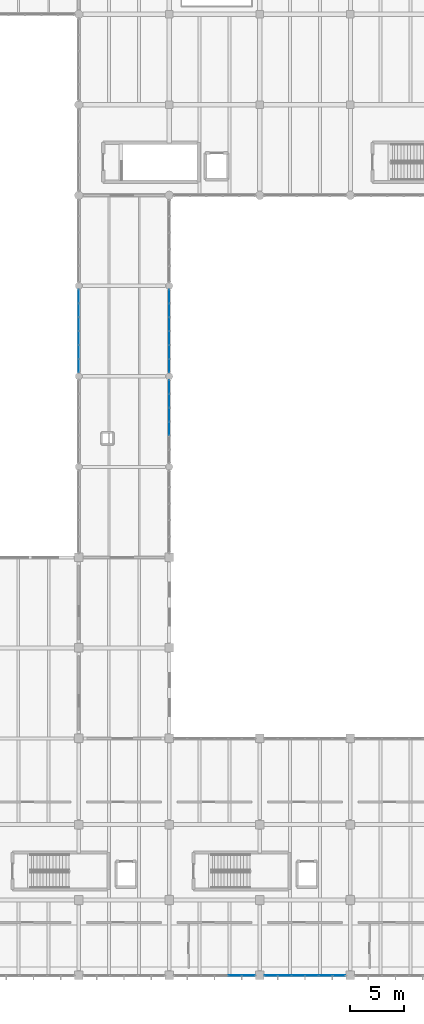
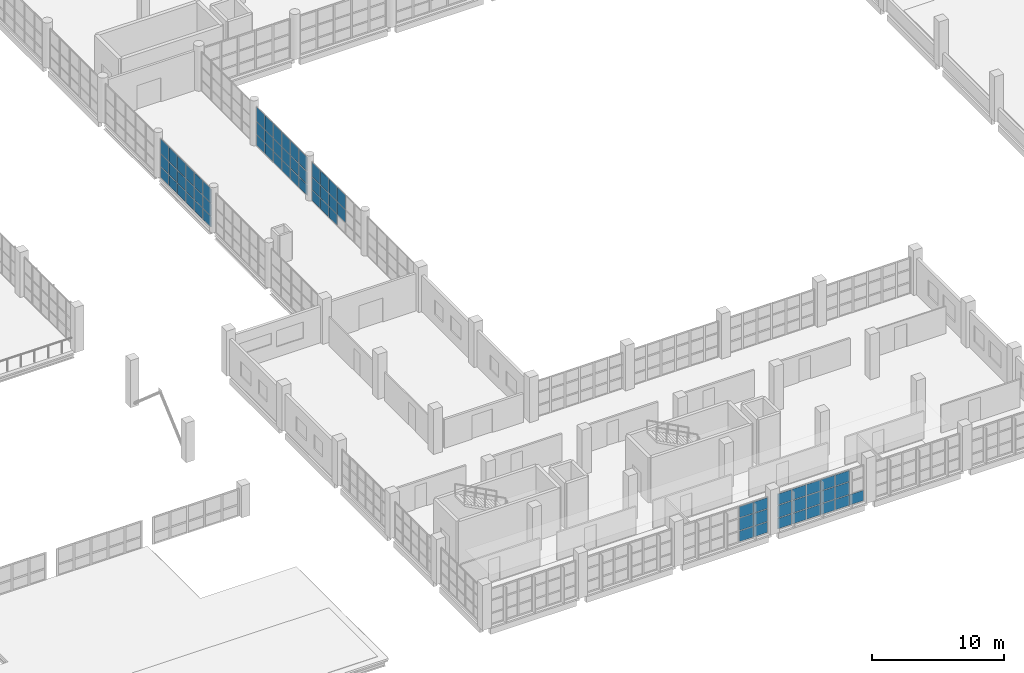
# One storey, part 124 of 177: 69 plates, 5 elements without a shape of their own.
"""IFC4 building model written with IfcOpenShell, lengths in metres."""

from ifc_helpers import new_model, si_unit, direction, frame, origin, origin_2d, place, context, subcontext, project, spatial, rectangle, extrude, material, layer, layer_set, type_object, element, aggregate, save


model = new_model("IFC4")

# Units and contexts
model_context = context("Model", 3, precision=1e-05, world=origin(), true_north=direction((0.0, 1.0)))
body_context = subcontext(model_context, "Body", "Model", "MODEL_VIEW")
ifc_project = project(units=[si_unit("LENGTHUNIT", "METRE"), si_unit("AREAUNIT", "SQUARE_METRE"), si_unit("VOLUMEUNIT", "CUBIC_METRE"), si_unit("PLANEANGLEUNIT", "RADIAN"), si_unit("MASSUNIT", "GRAM", prefix="KILO"), si_unit("THERMODYNAMICTEMPERATUREUNIT", "KELVIN"), si_unit("POWERUNIT", "WATT")], contexts=[model_context])

# Site, building, storey
site_placement = place(None, origin())
site = spatial("IfcSite", under=ifc_project, at=site_placement, CompositionType="ELEMENT")
building_placement = place(site_placement, origin())
building = spatial("IfcBuilding", under=site, at=building_placement, Name="Mavoryth Pier Ferry Terminal", CompositionType="ELEMENT")
storey_placement = place(building_placement, frame((0.0, 0.0, 5.43994140625)))
storey = spatial("IfcBuildingStorey", under=building, at=storey_placement, Name="L01", CompositionType="ELEMENT", Elevation=5.43994140625)

# Curtain wall, plates
ifc_material_1 = material(Name="Anodised Aluminium and Solar-Control Low-E Glass", Category="aluminium")
ifc_layer_1 = layer(ifc_material_1, 0.1201171875, Name="Anodised Aluminium and Solar-Control Low-E Glass", Category="aluminium")
ifc_layer_set_1 = layer_set([ifc_layer_1], Name="Anodised Aluminium and Solar-Control Low-E Glass - CW-BridgeLink-Mod1400")
curtain_wall_type_1 = type_object("IfcCurtainWallType", Name="CW-BridgeLink-Mod1400", PredefinedType="USERDEFINED", material=ifc_layer_set_1)
curtain_wall_1_placement = place(storey_placement, origin())
curtain_wall_1 = element("IfcCurtainWall", 1, at=curtain_wall_1_placement, inside=storey, type_object=curtain_wall_type_1, Name="Curtain Wall CW-0111-105", ObjectType="UNITISED CURTAIN WALL", PredefinedType="USERDEFINED")
ifc_material_2 = material(Name="Solar-Control Low-E Laminated Double Glazing", Category="glass")
ifc_layer_2 = layer(ifc_material_2, 0.02392578125, Name="Solar-Control Low-E Laminated Double Glazing", Category="glass")
ifc_layer_set_2 = layer_set([ifc_layer_2], Name="Solar-Control Low-E Laminated Double Glazing - Panel-LowE-DGU-24")
plate_type_1 = type_object("IfcPlateType", Name="Panel-LowE-DGU-24", PredefinedType="CURTAIN_PANEL", material=ifc_layer_set_2)
plate_1_placement = place(storey_placement, frame((58.800048828125, 50.754150390625, 1.07763671875), z_axis=(0.0, 0.0, 1.0), x_axis=(0.0, 1.0, 0.0)))
plate_1 = element("IfcPlate", 2, at=plate_1_placement, type_object=plate_type_1, Name="CW08 panel 3.2", PredefinedType="CURTAIN_PANEL", context=body_context, shape_type="SweptSolid", body=[
    extrude(rectangle(XDim=1.236572265625, YDim=0.02392578125, at=origin_2d()), origin(), (0.0, 0.0, 1.0), 1.14501953125),
])
plate_2_placement = place(storey_placement, frame((58.800048828125, 50.754150390625, 2.27734375), z_axis=(0.0, 0.0, 1.0), x_axis=(0.0, 1.0, 0.0)))
plate_2 = element("IfcPlate", 3, at=plate_2_placement, type_object=plate_type_1, Name="CW08 panel 3.3", PredefinedType="CURTAIN_PANEL", context=body_context, shape_type="SweptSolid", body=[
    extrude(rectangle(XDim=1.236572265625, YDim=0.02392578125, at=origin_2d()), origin(), (0.0, 0.0, 1.0), 1.322509765625),
])
plate_3_placement = place(storey_placement, frame((58.800048828125, 52.0458984375, 0.05517578125), z_axis=(0.0, 0.0, 1.0), x_axis=(0.0, 1.0, 0.0)))
plate_3 = element("IfcPlate", 4, at=plate_3_placement, type_object=plate_type_1, Name="CW08 panel 4.1", PredefinedType="CURTAIN_PANEL", context=body_context, shape_type="SweptSolid", body=[
    extrude(rectangle(XDim=1.236572265625, YDim=0.02392578125, at=origin_2d()), origin(), (0.0, 0.0, 1.0), 0.967529296875),
])
plate_4_placement = place(storey_placement, frame((58.800048828125, 52.0458984375, 1.07763671875), z_axis=(0.0, 0.0, 1.0), x_axis=(0.0, 1.0, 0.0)))
plate_4 = element("IfcPlate", 5, at=plate_4_placement, type_object=plate_type_1, Name="CW08 panel 4.2", PredefinedType="CURTAIN_PANEL", context=body_context, shape_type="SweptSolid", body=[
    extrude(rectangle(XDim=1.236572265625, YDim=0.02392578125, at=origin_2d()), origin(), (0.0, 0.0, 1.0), 1.14501953125),
])
plate_5_placement = place(storey_placement, frame((58.800048828125, 52.0458984375, 2.27734375), z_axis=(0.0, 0.0, 1.0), x_axis=(0.0, 1.0, 0.0)))
plate_5 = element("IfcPlate", 6, at=plate_5_placement, type_object=plate_type_1, Name="CW08 panel 4.3", PredefinedType="CURTAIN_PANEL", context=body_context, shape_type="SweptSolid", body=[
    extrude(rectangle(XDim=1.236572265625, YDim=0.02392578125, at=origin_2d()), origin(), (0.0, 0.0, 1.0), 1.322509765625),
])
plate_6_placement = place(storey_placement, frame((58.800048828125, 53.33740234375, 0.05517578125), z_axis=(0.0, 0.0, 1.0), x_axis=(0.0, 1.0, 0.0)))
plate_6 = element("IfcPlate", 7, at=plate_6_placement, type_object=plate_type_1, Name="CW08 panel 5.1", PredefinedType="CURTAIN_PANEL", context=body_context, shape_type="SweptSolid", body=[
    extrude(rectangle(XDim=1.236572265625, YDim=0.02392578125, at=origin_2d()), origin(), (0.0, 0.0, 1.0), 0.967529296875),
])
plate_7_placement = place(storey_placement, frame((58.800048828125, 53.33740234375, 1.07763671875), z_axis=(0.0, 0.0, 1.0), x_axis=(0.0, 1.0, 0.0)))
plate_7 = element("IfcPlate", 8, at=plate_7_placement, type_object=plate_type_1, Name="CW08 panel 5.2", PredefinedType="CURTAIN_PANEL", context=body_context, shape_type="SweptSolid", body=[
    extrude(rectangle(XDim=1.236572265625, YDim=0.02392578125, at=origin_2d()), origin(), (0.0, 0.0, 1.0), 1.14501953125),
])
plate_8_placement = place(storey_placement, frame((58.800048828125, 53.33740234375, 2.27734375), z_axis=(0.0, 0.0, 1.0), x_axis=(0.0, 1.0, 0.0)))
plate_8 = element("IfcPlate", 9, at=plate_8_placement, type_object=plate_type_1, Name="CW08 panel 5.3", PredefinedType="CURTAIN_PANEL", context=body_context, shape_type="SweptSolid", body=[
    extrude(rectangle(XDim=1.236572265625, YDim=0.02392578125, at=origin_2d()), origin(), (0.0, 0.0, 1.0), 1.322509765625),
])
plate_9_placement = place(storey_placement, frame((58.800048828125, 54.615478515625, 0.05517578125), z_axis=(0.0, 0.0, 1.0), x_axis=(0.0, 1.0, 0.0)))
plate_9 = element("IfcPlate", 10, at=plate_9_placement, type_object=plate_type_1, Name="CW08 panel 6.1", PredefinedType="CURTAIN_PANEL", context=body_context, shape_type="SweptSolid", body=[
    extrude(rectangle(XDim=1.209228515625, YDim=0.02392578125, at=origin_2d()), origin(), (0.0, 0.0, 1.0), 0.967529296875),
])
plate_10_placement = place(storey_placement, frame((58.800048828125, 54.615478515625, 1.07763671875), z_axis=(0.0, 0.0, 1.0), x_axis=(0.0, 1.0, 0.0)))
plate_10 = element("IfcPlate", 11, at=plate_10_placement, type_object=plate_type_1, Name="CW08 panel 6.2", PredefinedType="CURTAIN_PANEL", context=body_context, shape_type="SweptSolid", body=[
    extrude(rectangle(XDim=1.209228515625, YDim=0.02392578125, at=origin_2d()), origin(), (0.0, 0.0, 1.0), 1.14501953125),
])
plate_11_placement = place(storey_placement, frame((58.800048828125, 54.615478515625, 2.27734375), z_axis=(0.0, 0.0, 1.0), x_axis=(0.0, 1.0, 0.0)))
plate_11 = element("IfcPlate", 12, at=plate_11_placement, type_object=plate_type_1, Name="CW08 panel 6.3", PredefinedType="CURTAIN_PANEL", context=body_context, shape_type="SweptSolid", body=[
    extrude(rectangle(XDim=1.209228515625, YDim=0.02392578125, at=origin_2d()), origin(), (0.0, 0.0, 1.0), 1.322509765625),
])
aggregate(curtain_wall_1, [plate_1, plate_2, plate_3, plate_4, plate_5, plate_6, plate_7, plate_8, plate_9, plate_10, plate_11])

curtain_wall_2_placement = place(storey_placement, origin())
curtain_wall_2 = element("IfcCurtainWall", 13, at=curtain_wall_2_placement, inside=storey, type_object=curtain_wall_type_1, Name="Curtain Wall CW-0111-106", ObjectType="UNITISED CURTAIN WALL", PredefinedType="USERDEFINED")
plate_12_placement = place(storey_placement, frame((50.39990234375, 63.015380859375, 0.05517578125), z_axis=(0.0, 0.0, 1.0), x_axis=(0.0, -1.0, 0.0)))
plate_12 = element("IfcPlate", 14, at=plate_12_placement, type_object=plate_type_1, Name="CW08 panel 1.1", PredefinedType="CURTAIN_PANEL", context=body_context, shape_type="SweptSolid", body=[
    extrude(rectangle(XDim=1.209228515625, YDim=0.02392578125, at=origin_2d()), origin(), (0.0, 0.0, 1.0), 0.967529296875),
])
plate_13_placement = place(storey_placement, frame((50.39990234375, 63.015380859375, 1.07763671875), z_axis=(0.0, 0.0, 1.0), x_axis=(0.0, -1.0, 0.0)))
plate_13 = element("IfcPlate", 15, at=plate_13_placement, type_object=plate_type_1, Name="CW08 panel 1.2", PredefinedType="CURTAIN_PANEL", context=body_context, shape_type="SweptSolid", body=[
    extrude(rectangle(XDim=1.209228515625, YDim=0.02392578125, at=origin_2d()), origin(), (0.0, 0.0, 1.0), 1.14501953125),
])
plate_14_placement = place(storey_placement, frame((50.39990234375, 63.015380859375, 2.27734375), z_axis=(0.0, 0.0, 1.0), x_axis=(0.0, -1.0, 0.0)))
plate_14 = element("IfcPlate", 16, at=plate_14_placement, type_object=plate_type_1, Name="CW08 panel 1.3", PredefinedType="CURTAIN_PANEL", context=body_context, shape_type="SweptSolid", body=[
    extrude(rectangle(XDim=1.209228515625, YDim=0.02392578125, at=origin_2d()), origin(), (0.0, 0.0, 1.0), 1.322509765625),
])
plate_15_placement = place(storey_placement, frame((50.39990234375, 61.737548828125, 0.05517578125), z_axis=(0.0, 0.0, 1.0), x_axis=(0.0, -1.0, 0.0)))
plate_15 = element("IfcPlate", 17, at=plate_15_placement, type_object=plate_type_1, Name="CW08 panel 2.1", PredefinedType="CURTAIN_PANEL", context=body_context, shape_type="SweptSolid", body=[
    extrude(rectangle(XDim=1.236572265625, YDim=0.02392578125, at=origin_2d()), origin(), (0.0, 0.0, 1.0), 0.967529296875),
])
plate_16_placement = place(storey_placement, frame((50.39990234375, 61.737548828125, 1.07763671875), z_axis=(0.0, 0.0, 1.0), x_axis=(0.0, -1.0, 0.0)))
plate_16 = element("IfcPlate", 18, at=plate_16_placement, type_object=plate_type_1, Name="CW08 panel 2.2", PredefinedType="CURTAIN_PANEL", context=body_context, shape_type="SweptSolid", body=[
    extrude(rectangle(XDim=1.236572265625, YDim=0.02392578125, at=origin_2d()), origin(), (0.0, 0.0, 1.0), 1.14501953125),
])
plate_17_placement = place(storey_placement, frame((50.39990234375, 61.737548828125, 2.27734375), z_axis=(0.0, 0.0, 1.0), x_axis=(0.0, -1.0, 0.0)))
plate_17 = element("IfcPlate", 19, at=plate_17_placement, type_object=plate_type_1, Name="CW08 panel 2.3", PredefinedType="CURTAIN_PANEL", context=body_context, shape_type="SweptSolid", body=[
    extrude(rectangle(XDim=1.236572265625, YDim=0.02392578125, at=origin_2d()), origin(), (0.0, 0.0, 1.0), 1.322509765625),
])
plate_18_placement = place(storey_placement, frame((50.39990234375, 60.44580078125, 0.05517578125), z_axis=(0.0, 0.0, 1.0), x_axis=(0.0, -1.0, 0.0)))
plate_18 = element("IfcPlate", 20, at=plate_18_placement, type_object=plate_type_1, Name="CW08 panel 3.1", PredefinedType="CURTAIN_PANEL", context=body_context, shape_type="SweptSolid", body=[
    extrude(rectangle(XDim=1.236572265625, YDim=0.02392578125, at=origin_2d()), origin(), (0.0, 0.0, 1.0), 0.967529296875),
])
plate_19_placement = place(storey_placement, frame((50.39990234375, 60.44580078125, 1.07763671875), z_axis=(0.0, 0.0, 1.0), x_axis=(0.0, -1.0, 0.0)))
plate_19 = element("IfcPlate", 21, at=plate_19_placement, type_object=plate_type_1, Name="CW08 panel 3.2", PredefinedType="CURTAIN_PANEL", context=body_context, shape_type="SweptSolid", body=[
    extrude(rectangle(XDim=1.236572265625, YDim=0.02392578125, at=origin_2d()), origin(), (0.0, 0.0, 1.0), 1.14501953125),
])
plate_20_placement = place(storey_placement, frame((50.39990234375, 60.44580078125, 2.27734375), z_axis=(0.0, 0.0, 1.0), x_axis=(0.0, -1.0, 0.0)))
plate_20 = element("IfcPlate", 22, at=plate_20_placement, type_object=plate_type_1, Name="CW08 panel 3.3", PredefinedType="CURTAIN_PANEL", context=body_context, shape_type="SweptSolid", body=[
    extrude(rectangle(XDim=1.236572265625, YDim=0.02392578125, at=origin_2d()), origin(), (0.0, 0.0, 1.0), 1.322509765625),
])
plate_21_placement = place(storey_placement, frame((50.39990234375, 59.154052734375, 0.05517578125), z_axis=(0.0, 0.0, 1.0), x_axis=(0.0, -1.0, 0.0)))
plate_21 = element("IfcPlate", 23, at=plate_21_placement, type_object=plate_type_1, Name="CW08 panel 4.1", PredefinedType="CURTAIN_PANEL", context=body_context, shape_type="SweptSolid", body=[
    extrude(rectangle(XDim=1.236572265625, YDim=0.02392578125, at=origin_2d()), origin(), (0.0, 0.0, 1.0), 0.967529296875),
])
plate_22_placement = place(storey_placement, frame((50.39990234375, 59.154052734375, 1.07763671875), z_axis=(0.0, 0.0, 1.0), x_axis=(0.0, -1.0, 0.0)))
plate_22 = element("IfcPlate", 24, at=plate_22_placement, type_object=plate_type_1, Name="CW08 panel 4.2", PredefinedType="CURTAIN_PANEL", context=body_context, shape_type="SweptSolid", body=[
    extrude(rectangle(XDim=1.236572265625, YDim=0.02392578125, at=origin_2d()), origin(), (0.0, 0.0, 1.0), 1.14501953125),
])
plate_23_placement = place(storey_placement, frame((50.39990234375, 59.154052734375, 2.27734375), z_axis=(0.0, 0.0, 1.0), x_axis=(0.0, -1.0, 0.0)))
plate_23 = element("IfcPlate", 25, at=plate_23_placement, type_object=plate_type_1, Name="CW08 panel 4.3", PredefinedType="CURTAIN_PANEL", context=body_context, shape_type="SweptSolid", body=[
    extrude(rectangle(XDim=1.236572265625, YDim=0.02392578125, at=origin_2d()), origin(), (0.0, 0.0, 1.0), 1.322509765625),
])
plate_24_placement = place(storey_placement, frame((50.39990234375, 57.862548828125, 0.05517578125), z_axis=(0.0, 0.0, 1.0), x_axis=(0.0, -1.0, 0.0)))
plate_24 = element("IfcPlate", 26, at=plate_24_placement, type_object=plate_type_1, Name="CW08 panel 5.1", PredefinedType="CURTAIN_PANEL", context=body_context, shape_type="SweptSolid", body=[
    extrude(rectangle(XDim=1.236572265625, YDim=0.02392578125, at=origin_2d()), origin(), (0.0, 0.0, 1.0), 0.967529296875),
])
plate_25_placement = place(storey_placement, frame((50.39990234375, 57.862548828125, 1.07763671875), z_axis=(0.0, 0.0, 1.0), x_axis=(0.0, -1.0, 0.0)))
plate_25 = element("IfcPlate", 27, at=plate_25_placement, type_object=plate_type_1, Name="CW08 panel 5.2", PredefinedType="CURTAIN_PANEL", context=body_context, shape_type="SweptSolid", body=[
    extrude(rectangle(XDim=1.236572265625, YDim=0.02392578125, at=origin_2d()), origin(), (0.0, 0.0, 1.0), 1.14501953125),
])
plate_26_placement = place(storey_placement, frame((50.39990234375, 57.862548828125, 2.27734375), z_axis=(0.0, 0.0, 1.0), x_axis=(0.0, -1.0, 0.0)))
plate_26 = element("IfcPlate", 28, at=plate_26_placement, type_object=plate_type_1, Name="CW08 panel 5.3", PredefinedType="CURTAIN_PANEL", context=body_context, shape_type="SweptSolid", body=[
    extrude(rectangle(XDim=1.236572265625, YDim=0.02392578125, at=origin_2d()), origin(), (0.0, 0.0, 1.0), 1.322509765625),
])
plate_27_placement = place(storey_placement, frame((50.39990234375, 56.58447265625, 0.05517578125), z_axis=(0.0, 0.0, 1.0), x_axis=(0.0, -1.0, 0.0)))
plate_27 = element("IfcPlate", 29, at=plate_27_placement, type_object=plate_type_1, Name="CW08 panel 6.1", PredefinedType="CURTAIN_PANEL", context=body_context, shape_type="SweptSolid", body=[
    extrude(rectangle(XDim=1.209228515625, YDim=0.02392578125, at=origin_2d()), origin(), (0.0, 0.0, 1.0), 0.967529296875),
])
plate_28_placement = place(storey_placement, frame((50.39990234375, 56.58447265625, 1.07763671875), z_axis=(0.0, 0.0, 1.0), x_axis=(0.0, -1.0, 0.0)))
plate_28 = element("IfcPlate", 30, at=plate_28_placement, type_object=plate_type_1, Name="CW08 panel 6.2", PredefinedType="CURTAIN_PANEL", context=body_context, shape_type="SweptSolid", body=[
    extrude(rectangle(XDim=1.209228515625, YDim=0.02392578125, at=origin_2d()), origin(), (0.0, 0.0, 1.0), 1.14501953125),
])
plate_29_placement = place(storey_placement, frame((50.39990234375, 56.58447265625, 2.27734375), z_axis=(0.0, 0.0, 1.0), x_axis=(0.0, -1.0, 0.0)))
plate_29 = element("IfcPlate", 31, at=plate_29_placement, type_object=plate_type_1, Name="CW08 panel 6.3", PredefinedType="CURTAIN_PANEL", context=body_context, shape_type="SweptSolid", body=[
    extrude(rectangle(XDim=1.209228515625, YDim=0.02392578125, at=origin_2d()), origin(), (0.0, 0.0, 1.0), 1.322509765625),
])
aggregate(curtain_wall_2, [plate_12, plate_13, plate_14, plate_15, plate_16, plate_17, plate_18, plate_19, plate_20, plate_21, plate_22, plate_23, plate_24, plate_25, plate_26, plate_27, plate_28, plate_29])

curtain_wall_3_placement = place(storey_placement, origin())
curtain_wall_3 = element("IfcCurtainWall", 32, at=curtain_wall_3_placement, inside=storey, type_object=curtain_wall_type_1, Name="Curtain Wall CW-0111-107", ObjectType="UNITISED CURTAIN WALL", PredefinedType="USERDEFINED")
plate_30_placement = place(storey_placement, frame((58.800048828125, 56.58447265625, 0.05517578125), z_axis=(0.0, 0.0, 1.0), x_axis=(0.0, 1.0, 0.0)))
plate_30 = element("IfcPlate", 33, at=plate_30_placement, type_object=plate_type_1, Name="CW08 panel 1.1", PredefinedType="CURTAIN_PANEL", context=body_context, shape_type="SweptSolid", body=[
    extrude(rectangle(XDim=1.209228515625, YDim=0.02392578125, at=origin_2d()), origin(), (0.0, 0.0, 1.0), 0.967529296875),
])
plate_31_placement = place(storey_placement, frame((58.800048828125, 56.58447265625, 1.07763671875), z_axis=(0.0, 0.0, 1.0), x_axis=(0.0, 1.0, 0.0)))
plate_31 = element("IfcPlate", 34, at=plate_31_placement, type_object=plate_type_1, Name="CW08 panel 1.2", PredefinedType="CURTAIN_PANEL", context=body_context, shape_type="SweptSolid", body=[
    extrude(rectangle(XDim=1.209228515625, YDim=0.02392578125, at=origin_2d()), origin(), (0.0, 0.0, 1.0), 1.14501953125),
])
plate_32_placement = place(storey_placement, frame((58.800048828125, 56.58447265625, 2.27734375), z_axis=(0.0, 0.0, 1.0), x_axis=(0.0, 1.0, 0.0)))
plate_32 = element("IfcPlate", 35, at=plate_32_placement, type_object=plate_type_1, Name="CW08 panel 1.3", PredefinedType="CURTAIN_PANEL", context=body_context, shape_type="SweptSolid", body=[
    extrude(rectangle(XDim=1.209228515625, YDim=0.02392578125, at=origin_2d()), origin(), (0.0, 0.0, 1.0), 1.322509765625),
])
plate_33_placement = place(storey_placement, frame((58.800048828125, 57.862548828125, 0.05517578125), z_axis=(0.0, 0.0, 1.0), x_axis=(0.0, 1.0, 0.0)))
plate_33 = element("IfcPlate", 36, at=plate_33_placement, type_object=plate_type_1, Name="CW08 panel 2.1", PredefinedType="CURTAIN_PANEL", context=body_context, shape_type="SweptSolid", body=[
    extrude(rectangle(XDim=1.236572265625, YDim=0.02392578125, at=origin_2d()), origin(), (0.0, 0.0, 1.0), 0.967529296875),
])
plate_34_placement = place(storey_placement, frame((58.800048828125, 57.862548828125, 1.07763671875), z_axis=(0.0, 0.0, 1.0), x_axis=(0.0, 1.0, 0.0)))
plate_34 = element("IfcPlate", 37, at=plate_34_placement, type_object=plate_type_1, Name="CW08 panel 2.2", PredefinedType="CURTAIN_PANEL", context=body_context, shape_type="SweptSolid", body=[
    extrude(rectangle(XDim=1.236572265625, YDim=0.02392578125, at=origin_2d()), origin(), (0.0, 0.0, 1.0), 1.14501953125),
])
plate_35_placement = place(storey_placement, frame((58.800048828125, 57.862548828125, 2.27734375), z_axis=(0.0, 0.0, 1.0), x_axis=(0.0, 1.0, 0.0)))
plate_35 = element("IfcPlate", 38, at=plate_35_placement, type_object=plate_type_1, Name="CW08 panel 2.3", PredefinedType="CURTAIN_PANEL", context=body_context, shape_type="SweptSolid", body=[
    extrude(rectangle(XDim=1.236572265625, YDim=0.02392578125, at=origin_2d()), origin(), (0.0, 0.0, 1.0), 1.322509765625),
])
plate_36_placement = place(storey_placement, frame((58.800048828125, 59.154052734375, 0.05517578125), z_axis=(0.0, 0.0, 1.0), x_axis=(0.0, 1.0, 0.0)))
plate_36 = element("IfcPlate", 39, at=plate_36_placement, type_object=plate_type_1, Name="CW08 panel 3.1", PredefinedType="CURTAIN_PANEL", context=body_context, shape_type="SweptSolid", body=[
    extrude(rectangle(XDim=1.236572265625, YDim=0.02392578125, at=origin_2d()), origin(), (0.0, 0.0, 1.0), 0.967529296875),
])
plate_37_placement = place(storey_placement, frame((58.800048828125, 59.154052734375, 1.07763671875), z_axis=(0.0, 0.0, 1.0), x_axis=(0.0, 1.0, 0.0)))
plate_37 = element("IfcPlate", 40, at=plate_37_placement, type_object=plate_type_1, Name="CW08 panel 3.2", PredefinedType="CURTAIN_PANEL", context=body_context, shape_type="SweptSolid", body=[
    extrude(rectangle(XDim=1.236572265625, YDim=0.02392578125, at=origin_2d()), origin(), (0.0, 0.0, 1.0), 1.14501953125),
])
plate_38_placement = place(storey_placement, frame((58.800048828125, 59.154052734375, 2.27734375), z_axis=(0.0, 0.0, 1.0), x_axis=(0.0, 1.0, 0.0)))
plate_38 = element("IfcPlate", 41, at=plate_38_placement, type_object=plate_type_1, Name="CW08 panel 3.3", PredefinedType="CURTAIN_PANEL", context=body_context, shape_type="SweptSolid", body=[
    extrude(rectangle(XDim=1.236572265625, YDim=0.02392578125, at=origin_2d()), origin(), (0.0, 0.0, 1.0), 1.322509765625),
])
plate_39_placement = place(storey_placement, frame((58.800048828125, 60.44580078125, 0.05517578125), z_axis=(0.0, 0.0, 1.0), x_axis=(0.0, 1.0, 0.0)))
plate_39 = element("IfcPlate", 42, at=plate_39_placement, type_object=plate_type_1, Name="CW08 panel 4.1", PredefinedType="CURTAIN_PANEL", context=body_context, shape_type="SweptSolid", body=[
    extrude(rectangle(XDim=1.236572265625, YDim=0.02392578125, at=origin_2d()), origin(), (0.0, 0.0, 1.0), 0.967529296875),
])
plate_40_placement = place(storey_placement, frame((58.800048828125, 60.44580078125, 1.07763671875), z_axis=(0.0, 0.0, 1.0), x_axis=(0.0, 1.0, 0.0)))
plate_40 = element("IfcPlate", 43, at=plate_40_placement, type_object=plate_type_1, Name="CW08 panel 4.2", PredefinedType="CURTAIN_PANEL", context=body_context, shape_type="SweptSolid", body=[
    extrude(rectangle(XDim=1.236572265625, YDim=0.02392578125, at=origin_2d()), origin(), (0.0, 0.0, 1.0), 1.14501953125),
])
plate_41_placement = place(storey_placement, frame((58.800048828125, 60.44580078125, 2.27734375), z_axis=(0.0, 0.0, 1.0), x_axis=(0.0, 1.0, 0.0)))
plate_41 = element("IfcPlate", 44, at=plate_41_placement, type_object=plate_type_1, Name="CW08 panel 4.3", PredefinedType="CURTAIN_PANEL", context=body_context, shape_type="SweptSolid", body=[
    extrude(rectangle(XDim=1.236572265625, YDim=0.02392578125, at=origin_2d()), origin(), (0.0, 0.0, 1.0), 1.322509765625),
])
plate_42_placement = place(storey_placement, frame((58.800048828125, 61.737548828125, 0.05517578125), z_axis=(0.0, 0.0, 1.0), x_axis=(0.0, 1.0, 0.0)))
plate_42 = element("IfcPlate", 45, at=plate_42_placement, type_object=plate_type_1, Name="CW08 panel 5.1", PredefinedType="CURTAIN_PANEL", context=body_context, shape_type="SweptSolid", body=[
    extrude(rectangle(XDim=1.236572265625, YDim=0.02392578125, at=origin_2d()), origin(), (0.0, 0.0, 1.0), 0.967529296875),
])
plate_43_placement = place(storey_placement, frame((58.800048828125, 61.737548828125, 1.07763671875), z_axis=(0.0, 0.0, 1.0), x_axis=(0.0, 1.0, 0.0)))
plate_43 = element("IfcPlate", 46, at=plate_43_placement, type_object=plate_type_1, Name="CW08 panel 5.2", PredefinedType="CURTAIN_PANEL", context=body_context, shape_type="SweptSolid", body=[
    extrude(rectangle(XDim=1.236572265625, YDim=0.02392578125, at=origin_2d()), origin(), (0.0, 0.0, 1.0), 1.14501953125),
])
plate_44_placement = place(storey_placement, frame((58.800048828125, 61.737548828125, 2.27734375), z_axis=(0.0, 0.0, 1.0), x_axis=(0.0, 1.0, 0.0)))
plate_44 = element("IfcPlate", 47, at=plate_44_placement, type_object=plate_type_1, Name="CW08 panel 5.3", PredefinedType="CURTAIN_PANEL", context=body_context, shape_type="SweptSolid", body=[
    extrude(rectangle(XDim=1.236572265625, YDim=0.02392578125, at=origin_2d()), origin(), (0.0, 0.0, 1.0), 1.322509765625),
])
plate_45_placement = place(storey_placement, frame((58.800048828125, 63.015380859375, 0.05517578125), z_axis=(0.0, 0.0, 1.0), x_axis=(0.0, 1.0, 0.0)))
plate_45 = element("IfcPlate", 48, at=plate_45_placement, type_object=plate_type_1, Name="CW08 panel 6.1", PredefinedType="CURTAIN_PANEL", context=body_context, shape_type="SweptSolid", body=[
    extrude(rectangle(XDim=1.209228515625, YDim=0.02392578125, at=origin_2d()), origin(), (0.0, 0.0, 1.0), 0.967529296875),
])
plate_46_placement = place(storey_placement, frame((58.800048828125, 63.015380859375, 1.07763671875), z_axis=(0.0, 0.0, 1.0), x_axis=(0.0, 1.0, 0.0)))
plate_46 = element("IfcPlate", 49, at=plate_46_placement, type_object=plate_type_1, Name="CW08 panel 6.2", PredefinedType="CURTAIN_PANEL", context=body_context, shape_type="SweptSolid", body=[
    extrude(rectangle(XDim=1.209228515625, YDim=0.02392578125, at=origin_2d()), origin(), (0.0, 0.0, 1.0), 1.14501953125),
])
plate_47_placement = place(storey_placement, frame((58.800048828125, 63.015380859375, 2.27734375), z_axis=(0.0, 0.0, 1.0), x_axis=(0.0, 1.0, 0.0)))
plate_47 = element("IfcPlate", 50, at=plate_47_placement, type_object=plate_type_1, Name="CW08 panel 6.3", PredefinedType="CURTAIN_PANEL", context=body_context, shape_type="SweptSolid", body=[
    extrude(rectangle(XDim=1.209228515625, YDim=0.02392578125, at=origin_2d()), origin(), (0.0, 0.0, 1.0), 1.322509765625),
])
aggregate(curtain_wall_3, [plate_30, plate_31, plate_32, plate_33, plate_34, plate_35, plate_36, plate_37, plate_38, plate_39, plate_40, plate_41, plate_42, plate_43, plate_44, plate_45, plate_46, plate_47])

ifc_layer_3 = layer(ifc_material_1, 0.239990234375, Name="Anodised Aluminium and Solar-Control Low-E Glass", Category="aluminium")
ifc_layer_set_3 = layer_set([ifc_layer_3], Name="Anodised Aluminium and Solar-Control Low-E Glass - CW-Operations-Mod1200")
curtain_wall_type_2 = type_object("IfcCurtainWallType", Name="CW-Operations-Mod1200", PredefinedType="USERDEFINED", material=ifc_layer_set_3)
curtain_wall_4_placement = place(storey_placement, origin())
curtain_wall_4 = element("IfcCurtainWall", 51, at=curtain_wall_4_placement, inside=storey, type_object=curtain_wall_type_2, Name="Curtain Wall CW-0122-112", ObjectType="UNITISED CURTAIN WALL", PredefinedType="USERDEFINED")
ifc_material_3 = material(Name="Insulated Bronze-Anodised Aluminium Spandrel Panel", Category="aluminium")
ifc_layer_4 = layer(ifc_material_3, 0.0439453125, Name="Insulated Bronze-Anodised Aluminium Spandrel Panel", Category="aluminium")
ifc_layer_set_4 = layer_set([ifc_layer_4], Name="Insulated Bronze-Anodised Aluminium Spandrel Panel - Panel-Spandrel-Alum-44")
plate_type_2 = type_object("IfcPlateType", Name="Panel-Spandrel-Alum-44", PredefinedType="CURTAIN_PANEL", material=ifc_layer_set_4)
plate_48_placement = place(storey_placement, frame((64.89990234375, 0.0, 0.06005859375), z_axis=(0.0, 0.0, 1.0), x_axis=(1.0, 0.0, 0.0)))
plate_48 = element("IfcPlate", 52, at=plate_48_placement, type_object=plate_type_2, Name="CW06 panel 5.1", PredefinedType="CURTAIN_PANEL", context=body_context, shape_type="SweptSolid", body=[
    extrude(rectangle(XDim=1.206787109375, YDim=0.0439453125, at=origin_2d()), origin(), (0.0, 0.0, 1.0), 0.9599609375),
])
plate_49_placement = place(storey_placement, frame((64.89990234375, 0.0, 1.080078125), z_axis=(0.0, 0.0, 1.0), x_axis=(1.0, 0.0, 0.0)))
plate_49 = element("IfcPlate", 53, at=plate_49_placement, type_object=plate_type_2, Name="CW06 panel 5.2", PredefinedType="CURTAIN_PANEL", context=body_context, shape_type="SweptSolid", body=[
    extrude(rectangle(XDim=1.206787109375, YDim=0.0439453125, at=origin_2d()), origin(), (0.0, 0.0, 1.0), 1.139892578125),
])
plate_50_placement = place(storey_placement, frame((64.89990234375, 0.0, 2.280029296875), z_axis=(0.0, 0.0, 1.0), x_axis=(1.0, 0.0, 0.0)))
plate_50 = element("IfcPlate", 54, at=plate_50_placement, type_object=plate_type_2, Name="CW06 panel 5.3", PredefinedType="CURTAIN_PANEL", context=body_context, shape_type="SweptSolid", body=[
    extrude(rectangle(XDim=1.206787109375, YDim=0.0439453125, at=origin_2d()), origin(), (0.0, 0.0, 1.0), 1.0048828125),
])
plate_51_placement = place(storey_placement, frame((66.151611328125, 0.0, 0.06005859375), z_axis=(0.0, 0.0, 1.0), x_axis=(1.0, 0.0, 0.0)))
plate_51 = element("IfcPlate", 55, at=plate_51_placement, type_object=plate_type_2, Name="CW06 panel 6.1", PredefinedType="CURTAIN_PANEL", context=body_context, shape_type="SweptSolid", body=[
    extrude(rectangle(XDim=1.1767578125, YDim=0.0439453125, at=origin_2d()), origin(), (0.0, 0.0, 1.0), 0.9599609375),
])
plate_52_placement = place(storey_placement, frame((66.151611328125, 0.0, 1.080078125), z_axis=(0.0, 0.0, 1.0), x_axis=(1.0, 0.0, 0.0)))
plate_52 = element("IfcPlate", 56, at=plate_52_placement, type_object=plate_type_2, Name="CW06 panel 6.2", PredefinedType="CURTAIN_PANEL", context=body_context, shape_type="SweptSolid", body=[
    extrude(rectangle(XDim=1.1767578125, YDim=0.0439453125, at=origin_2d()), origin(), (0.0, 0.0, 1.0), 1.139892578125),
])
plate_53_placement = place(storey_placement, frame((66.151611328125, 0.0, 2.280029296875), z_axis=(0.0, 0.0, 1.0), x_axis=(1.0, 0.0, 0.0)))
plate_53 = element("IfcPlate", 57, at=plate_53_placement, type_object=plate_type_2, Name="CW06 panel 6.3", PredefinedType="CURTAIN_PANEL", context=body_context, shape_type="SweptSolid", body=[
    extrude(rectangle(XDim=1.1767578125, YDim=0.0439453125, at=origin_2d()), origin(), (0.0, 0.0, 1.0), 1.0048828125),
])
aggregate(curtain_wall_4, [plate_48, plate_49, plate_50, plate_51, plate_52, plate_53])

curtain_wall_5_placement = place(storey_placement, origin())
curtain_wall_5 = element("IfcCurtainWall", 58, at=curtain_wall_5_placement, inside=storey, type_object=curtain_wall_type_2, Name="Curtain Wall CW-0122-114", ObjectType="UNITISED CURTAIN WALL", PredefinedType="USERDEFINED")
plate_54_placement = place(storey_placement, frame((68.248291015625, 0.0, 0.06005859375), z_axis=(0.0, 0.0, 1.0), x_axis=(1.0, 0.0, 0.0)))
plate_54 = element("IfcPlate", 59, at=plate_54_placement, type_object=plate_type_2, Name="CW06 panel 1.1", PredefinedType="CURTAIN_PANEL", context=body_context, shape_type="SweptSolid", body=[
    extrude(rectangle(XDim=1.1767578125, YDim=0.0439453125, at=origin_2d()), origin(), (0.0, 0.0, 1.0), 0.9599609375),
])
plate_55_placement = place(storey_placement, frame((68.248291015625, 0.0, 1.080078125), z_axis=(0.0, 0.0, 1.0), x_axis=(1.0, 0.0, 0.0)))
plate_55 = element("IfcPlate", 60, at=plate_55_placement, type_object=plate_type_2, Name="CW06 panel 1.2", PredefinedType="CURTAIN_PANEL", context=body_context, shape_type="SweptSolid", body=[
    extrude(rectangle(XDim=1.1767578125, YDim=0.0439453125, at=origin_2d()), origin(), (0.0, 0.0, 1.0), 1.139892578125),
])
plate_56_placement = place(storey_placement, frame((68.248291015625, 0.0, 2.280029296875), z_axis=(0.0, 0.0, 1.0), x_axis=(1.0, 0.0, 0.0)))
plate_56 = element("IfcPlate", 61, at=plate_56_placement, type_object=plate_type_2, Name="CW06 panel 1.3", PredefinedType="CURTAIN_PANEL", context=body_context, shape_type="SweptSolid", body=[
    extrude(rectangle(XDim=1.1767578125, YDim=0.0439453125, at=origin_2d()), origin(), (0.0, 0.0, 1.0), 1.0048828125),
])
plate_57_placement = place(storey_placement, frame((69.5, 0.0, 0.06005859375), z_axis=(0.0, 0.0, 1.0), x_axis=(1.0, 0.0, 0.0)))
plate_57 = element("IfcPlate", 62, at=plate_57_placement, type_object=plate_type_2, Name="CW06 panel 2.1", PredefinedType="CURTAIN_PANEL", context=body_context, shape_type="SweptSolid", body=[
    extrude(rectangle(XDim=1.206787109375, YDim=0.0439453125, at=origin_2d()), origin(), (0.0, 0.0, 1.0), 0.9599609375),
])
plate_58_placement = place(storey_placement, frame((69.5, 0.0, 1.080078125), z_axis=(0.0, 0.0, 1.0), x_axis=(1.0, 0.0, 0.0)))
plate_58 = element("IfcPlate", 63, at=plate_58_placement, type_object=plate_type_2, Name="CW06 panel 2.2", PredefinedType="CURTAIN_PANEL", context=body_context, shape_type="SweptSolid", body=[
    extrude(rectangle(XDim=1.206787109375, YDim=0.0439453125, at=origin_2d()), origin(), (0.0, 0.0, 1.0), 1.139892578125),
])
plate_59_placement = place(storey_placement, frame((69.5, 0.0, 2.280029296875), z_axis=(0.0, 0.0, 1.0), x_axis=(1.0, 0.0, 0.0)))
plate_59 = element("IfcPlate", 64, at=plate_59_placement, type_object=plate_type_2, Name="CW06 panel 2.3", PredefinedType="CURTAIN_PANEL", context=body_context, shape_type="SweptSolid", body=[
    extrude(rectangle(XDim=1.206787109375, YDim=0.0439453125, at=origin_2d()), origin(), (0.0, 0.0, 1.0), 1.0048828125),
])
plate_60_placement = place(storey_placement, frame((70.7666015625, 0.0, 0.06005859375), z_axis=(0.0, 0.0, 1.0), x_axis=(1.0, 0.0, 0.0)))
plate_60 = element("IfcPlate", 65, at=plate_60_placement, type_object=plate_type_2, Name="CW06 panel 3.1", PredefinedType="CURTAIN_PANEL", context=body_context, shape_type="SweptSolid", body=[
    extrude(rectangle(XDim=1.206787109375, YDim=0.0439453125, at=origin_2d()), origin(), (0.0, 0.0, 1.0), 0.9599609375),
])
plate_61_placement = place(storey_placement, frame((70.7666015625, 0.0, 1.080078125), z_axis=(0.0, 0.0, 1.0), x_axis=(1.0, 0.0, 0.0)))
plate_61 = element("IfcPlate", 66, at=plate_61_placement, type_object=plate_type_2, Name="CW06 panel 3.2", PredefinedType="CURTAIN_PANEL", context=body_context, shape_type="SweptSolid", body=[
    extrude(rectangle(XDim=1.206787109375, YDim=0.0439453125, at=origin_2d()), origin(), (0.0, 0.0, 1.0), 1.139892578125),
])
plate_62_placement = place(storey_placement, frame((70.7666015625, 0.0, 2.280029296875), z_axis=(0.0, 0.0, 1.0), x_axis=(1.0, 0.0, 0.0)))
plate_62 = element("IfcPlate", 67, at=plate_62_placement, type_object=plate_type_2, Name="CW06 panel 3.3", PredefinedType="CURTAIN_PANEL", context=body_context, shape_type="SweptSolid", body=[
    extrude(rectangle(XDim=1.206787109375, YDim=0.0439453125, at=origin_2d()), origin(), (0.0, 0.0, 1.0), 1.0048828125),
])
plate_63_placement = place(storey_placement, frame((72.033447265625, 0.0, 0.06005859375), z_axis=(0.0, 0.0, 1.0), x_axis=(1.0, 0.0, 0.0)))
plate_63 = element("IfcPlate", 68, at=plate_63_placement, type_object=plate_type_2, Name="CW06 panel 4.1", PredefinedType="CURTAIN_PANEL", context=body_context, shape_type="SweptSolid", body=[
    extrude(rectangle(XDim=1.206787109375, YDim=0.0439453125, at=origin_2d()), origin(), (0.0, 0.0, 1.0), 0.9599609375),
])
plate_64_placement = place(storey_placement, frame((72.033447265625, 0.0, 1.080078125), z_axis=(0.0, 0.0, 1.0), x_axis=(1.0, 0.0, 0.0)))
plate_64 = element("IfcPlate", 69, at=plate_64_placement, type_object=plate_type_2, Name="CW06 panel 4.2", PredefinedType="CURTAIN_PANEL", context=body_context, shape_type="SweptSolid", body=[
    extrude(rectangle(XDim=1.206787109375, YDim=0.0439453125, at=origin_2d()), origin(), (0.0, 0.0, 1.0), 1.139892578125),
])
plate_65_placement = place(storey_placement, frame((72.033447265625, 0.0, 2.280029296875), z_axis=(0.0, 0.0, 1.0), x_axis=(1.0, 0.0, 0.0)))
plate_65 = element("IfcPlate", 70, at=plate_65_placement, type_object=plate_type_2, Name="CW06 panel 4.3", PredefinedType="CURTAIN_PANEL", context=body_context, shape_type="SweptSolid", body=[
    extrude(rectangle(XDim=1.206787109375, YDim=0.0439453125, at=origin_2d()), origin(), (0.0, 0.0, 1.0), 1.0048828125),
])
plate_66_placement = place(storey_placement, frame((73.300048828125, 0.0, 0.06005859375), z_axis=(0.0, 0.0, 1.0), x_axis=(1.0, 0.0, 0.0)))
plate_66 = element("IfcPlate", 71, at=plate_66_placement, type_object=plate_type_2, Name="CW06 panel 5.1", PredefinedType="CURTAIN_PANEL", context=body_context, shape_type="SweptSolid", body=[
    extrude(rectangle(XDim=1.206787109375, YDim=0.0439453125, at=origin_2d()), origin(), (0.0, 0.0, 1.0), 0.9599609375),
])
plate_67_placement = place(storey_placement, frame((73.300048828125, 0.0, 1.080078125), z_axis=(0.0, 0.0, 1.0), x_axis=(1.0, 0.0, 0.0)))
plate_67 = element("IfcPlate", 72, at=plate_67_placement, type_object=plate_type_2, Name="CW06 panel 5.2", PredefinedType="CURTAIN_PANEL", context=body_context, shape_type="SweptSolid", body=[
    extrude(rectangle(XDim=1.206787109375, YDim=0.0439453125, at=origin_2d()), origin(), (0.0, 0.0, 1.0), 1.139892578125),
])
plate_68_placement = place(storey_placement, frame((73.300048828125, 0.0, 2.280029296875), z_axis=(0.0, 0.0, 1.0), x_axis=(1.0, 0.0, 0.0)))
plate_68 = element("IfcPlate", 73, at=plate_68_placement, type_object=plate_type_2, Name="CW06 panel 5.3", PredefinedType="CURTAIN_PANEL", context=body_context, shape_type="SweptSolid", body=[
    extrude(rectangle(XDim=1.206787109375, YDim=0.0439453125, at=origin_2d()), origin(), (0.0, 0.0, 1.0), 1.0048828125),
])
plate_69_placement = place(storey_placement, frame((74.5517578125, 0.0, 0.06005859375), z_axis=(0.0, 0.0, 1.0), x_axis=(1.0, 0.0, 0.0)))
plate_69 = element("IfcPlate", 74, at=plate_69_placement, type_object=plate_type_2, Name="CW06 panel 6.1", PredefinedType="CURTAIN_PANEL", context=body_context, shape_type="SweptSolid", body=[
    extrude(rectangle(XDim=1.1767578125, YDim=0.0439453125, at=origin_2d()), origin(), (0.0, 0.0, 1.0), 0.9599609375),
])
aggregate(curtain_wall_5, [plate_54, plate_55, plate_56, plate_57, plate_58, plate_59, plate_60, plate_61, plate_62, plate_63, plate_64, plate_65, plate_66, plate_67, plate_68, plate_69])

save(model, "model.ifc")
